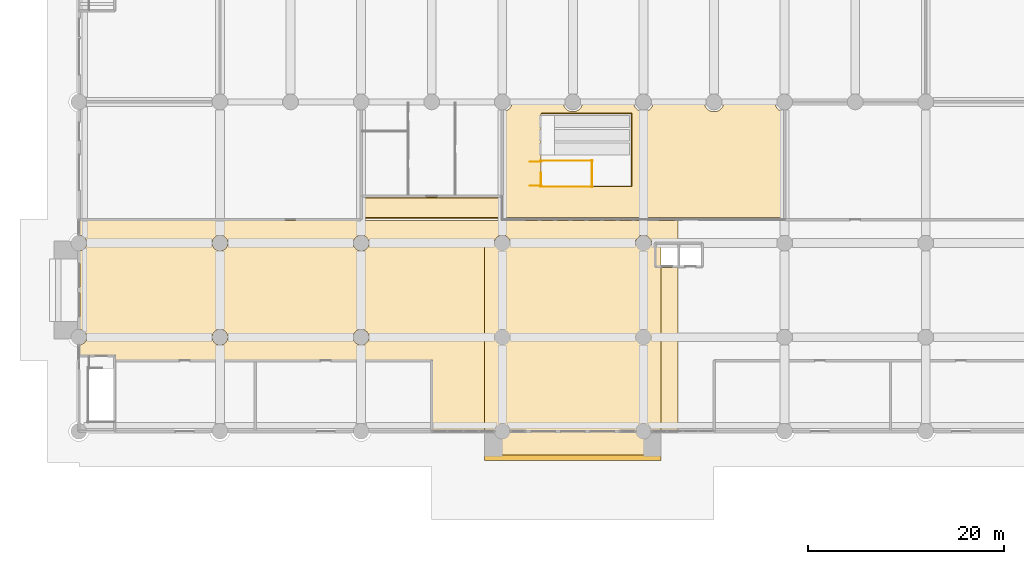
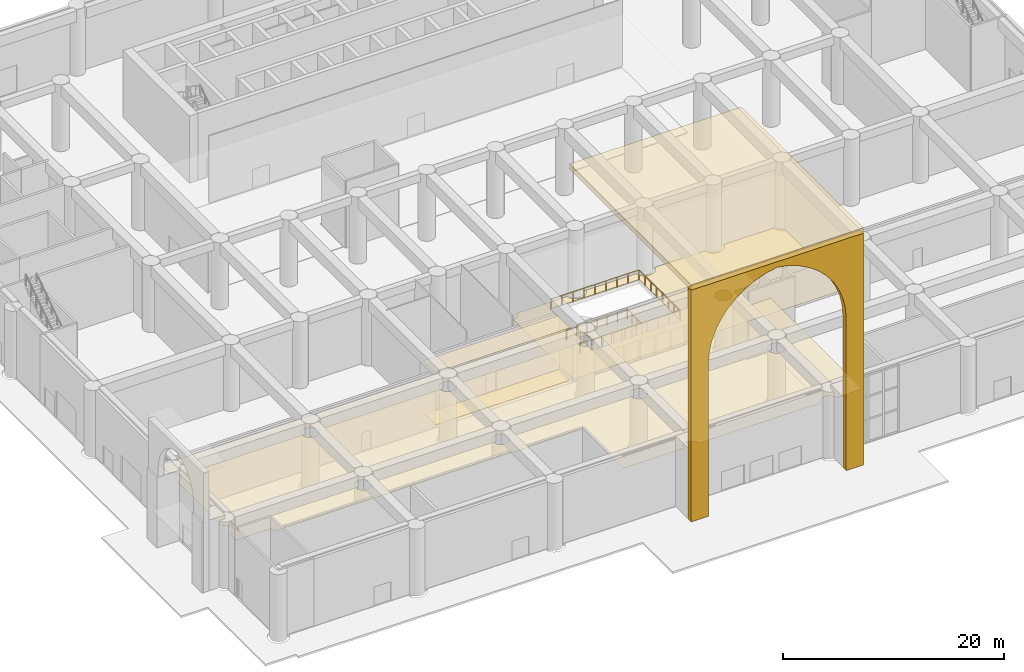
# One storey, part 24 of 32: 7 railings, 6 coverings.
"""IFC4 building model written with IfcOpenShell, lengths in metres."""

from ifc_helpers import new_model, si_unit, direction, frame, origin, origin_2d, place, context, subcontext, project, spatial, polyline, circle, outline, extrude, material, layer, layer_set, type_object, element, save


model = new_model("IFC4")

# Units and contexts
model_context = context("Model", 3, precision=1e-05, world=origin(), true_north=direction((0.0, 1.0)))
body_context = subcontext(model_context, "Body", "Model", "MODEL_VIEW")
ifc_project = project(units=[si_unit("LENGTHUNIT", "METRE"), si_unit("AREAUNIT", "SQUARE_METRE"), si_unit("VOLUMEUNIT", "CUBIC_METRE"), si_unit("PLANEANGLEUNIT", "RADIAN"), si_unit("MASSUNIT", "GRAM", prefix="KILO")], contexts=[model_context])

# Site, building, storey
site_placement = place(None, origin())
site = spatial("IfcSite", under=ifc_project, at=site_placement, CompositionType="ELEMENT")
building_placement = place(site_placement, origin())
building = spatial("IfcBuilding", under=site, at=building_placement, Name="Saffron Iwan Residences", CompositionType="ELEMENT")
storey_placement = place(building_placement, origin())
storey = spatial("IfcBuildingStorey", under=building, at=storey_placement, Name="L00", CompositionType="ELEMENT", Elevation=0.0)

# Coverings
ifc_material_1 = material(Name="Granite flooring", Category="masonry")
ifc_layer_1 = layer(ifc_material_1, 0.030029296875)
ifc_layer_set_1 = layer_set([ifc_layer_1], Name="Granite flooring")
covering_type_1 = type_object("IfcCoveringType", Name="Granite flooring 30", PredefinedType="FLOORING", material=ifc_layer_set_1)
covering_1_placement = place(storey_placement, origin())
element("IfcCovering", 1, at=covering_1_placement, inside=storey, type_object=covering_type_1, Name="Ticket hall flooring", PredefinedType="FLOORING", context=body_context, shape_type="SweptSolid", body=[
    extrude(outline(polyline([(29.0, 21.800048828125), (29.0, 23.800048828125), (43.0, 23.800048828125), (43.0, 21.800048828125), (29.0, 21.800048828125)])), origin(), (0.0, 0.0, 1.0), 0.030029296875),
])
covering_2_placement = place(storey_placement, origin())
element("IfcCovering", 2, at=covering_2_placement, inside=storey, type_object=covering_type_1, Name="Gate line hall flooring", PredefinedType="FLOORING", context=body_context, shape_type="SweptSolid", body=[
    extrude(outline(polyline([(43.39990234375, 32.6201171875), (43.489990234375, 32.64306640625), (43.5830078125, 32.676025390625), (43.6708984375, 32.718017578125), (43.756103515625, 32.76904296875), (43.833984375, 32.826904296875), (43.906982421875, 32.89306640625), (43.972900390625, 32.966064453125), (44.031005859375, 33.0439453125), (44.08203125, 33.12890625), (44.1240234375, 33.217041015625), (44.156982421875, 33.31005859375), (44.179931640625, 33.39990234375), (49.419921875, 33.39990234375), (49.443115234375, 33.31005859375), (49.47607421875, 33.217041015625), (49.51806640625, 33.12890625), (49.569091796875, 33.0439453125), (49.626953125, 32.966064453125), (49.693115234375, 32.89306640625), (49.76611328125, 32.826904296875), (49.843994140625, 32.76904296875), (49.928955078125, 32.718017578125), (50.01708984375, 32.676025390625), (50.110107421875, 32.64306640625), (50.205078125, 32.618896484375), (50.302001953125, 32.60498046875), (50.39990234375, 32.60009765625), (50.498046875, 32.60498046875), (50.594970703125, 32.618896484375), (50.68994140625, 32.64306640625), (50.782958984375, 32.676025390625), (50.87109375, 32.718017578125), (50.9560546875, 32.76904296875), (51.033935546875, 32.826904296875), (51.10693359375, 32.89306640625), (51.173095703125, 32.966064453125), (51.23095703125, 33.0439453125), (51.281982421875, 33.12890625), (51.323974609375, 33.217041015625), (51.35693359375, 33.31005859375), (51.3798828125, 33.39990234375), (56.6201171875, 33.39990234375), (56.64306640625, 33.31005859375), (56.676025390625, 33.217041015625), (56.718017578125, 33.12890625), (56.76904296875, 33.0439453125), (56.826904296875, 32.966064453125), (56.89306640625, 32.89306640625), (56.966064453125, 32.826904296875), (57.0439453125, 32.76904296875), (57.12890625, 32.718017578125), (57.217041015625, 32.676025390625), (57.31005859375, 32.64306640625), (57.405029296875, 32.618896484375), (57.501953125, 32.60498046875), (57.60009765625, 32.60009765625), (57.697998046875, 32.60498046875), (57.794921875, 32.618896484375), (57.889892578125, 32.64306640625), (57.98291015625, 32.676025390625), (58.071044921875, 32.718017578125), (58.156005859375, 32.76904296875), (58.23388671875, 32.826904296875), (58.306884765625, 32.89306640625), (58.373046875, 32.966064453125), (58.430908203125, 33.0439453125), (58.48193359375, 33.12890625), (58.52392578125, 33.217041015625), (58.556884765625, 33.31005859375), (58.580078125, 33.39990234375), (63.820068359375, 33.39990234375), (63.843017578125, 33.31005859375), (63.8759765625, 33.217041015625), (63.91796875, 33.12890625), (63.968994140625, 33.0439453125), (64.027099609375, 32.966064453125), (64.093017578125, 32.89306640625), (64.166015625, 32.826904296875), (64.243896484375, 32.76904296875), (64.3291015625, 32.718017578125), (64.4169921875, 32.676025390625), (64.510009765625, 32.64306640625), (64.60498046875, 32.618896484375), (64.701904296875, 32.60498046875), (64.800048828125, 32.60009765625), (64.89794921875, 32.60498046875), (64.9951171875, 32.618896484375), (65.090087890625, 32.64306640625), (65.18310546875, 32.676025390625), (65.27099609375, 32.718017578125), (65.35595703125, 32.76904296875), (65.43408203125, 32.826904296875), (65.507080078125, 32.89306640625), (65.572998046875, 32.966064453125), (65.631103515625, 33.0439453125), (65.681884765625, 33.12890625), (65.72412109375, 33.217041015625), (65.757080078125, 33.31005859375), (65.780029296875, 33.39990234375), (71.02001953125, 33.39990234375), (71.04296875, 33.31005859375), (71.075927734375, 33.217041015625), (71.117919921875, 33.12890625), (71.1689453125, 33.0439453125), (71.22705078125, 32.966064453125), (71.29296875, 32.89306640625), (71.365966796875, 32.826904296875), (71.444091796875, 32.76904296875), (71.529052734375, 32.718017578125), (71.616943359375, 32.676025390625), (71.7099609375, 32.64306640625), (71.800048828125, 32.6201171875), (71.800048828125, 21.800048828125), (43.39990234375, 21.800048828125), (43.39990234375, 32.6201171875)]), holes=[polyline([(47.199951171875, 32.449951171875), (47.195068359375, 32.449951171875), (47.19091796875, 32.448974609375), (47.18603515625, 32.447998046875), (47.180908203125, 32.446044921875), (47.177001953125, 32.444091796875), (47.173095703125, 32.44189453125), (47.1689453125, 32.43896484375), (47.1650390625, 32.43505859375), (47.162109375, 32.431884765625), (47.158935546875, 32.427978515625), (47.156005859375, 32.424072265625), (47.154052734375, 32.4189453125), (47.153076171875, 32.4150390625), (47.15087890625, 32.409912109375), (47.15087890625, 32.405029296875), (47.14990234375, 32.39990234375), (47.14990234375, 25.0), (47.15087890625, 24.9951171875), (47.15087890625, 24.989990234375), (47.153076171875, 24.985107421875), (47.154052734375, 24.98095703125), (47.156005859375, 24.97607421875), (47.158935546875, 24.971923828125), (47.162109375, 24.968017578125), (47.1650390625, 24.965087890625), (47.1689453125, 24.9609375), (47.173095703125, 24.9580078125), (47.177001953125, 24.9560546875), (47.180908203125, 24.9541015625), (47.18603515625, 24.951904296875), (47.19091796875, 24.950927734375), (47.195068359375, 24.949951171875), (47.199951171875, 24.949951171875), (56.39990234375, 24.949951171875), (56.405029296875, 24.949951171875), (56.409912109375, 24.950927734375), (56.4150390625, 24.951904296875), (56.4189453125, 24.9541015625), (56.424072265625, 24.9560546875), (56.427978515625, 24.9580078125), (56.431884765625, 24.9609375), (56.43505859375, 24.965087890625), (56.43896484375, 24.968017578125), (56.44189453125, 24.971923828125), (56.444091796875, 24.97607421875), (56.446044921875, 24.98095703125), (56.447998046875, 24.985107421875), (56.448974609375, 24.989990234375), (56.449951171875, 24.9951171875), (56.449951171875, 25.0), (56.449951171875, 32.39990234375), (56.449951171875, 32.405029296875), (56.448974609375, 32.409912109375), (56.447998046875, 32.4150390625), (56.446044921875, 32.4189453125), (56.444091796875, 32.424072265625), (56.44189453125, 32.427978515625), (56.43896484375, 32.431884765625), (56.43505859375, 32.43505859375), (56.431884765625, 32.43896484375), (56.427978515625, 32.44189453125), (56.424072265625, 32.444091796875), (56.4189453125, 32.446044921875), (56.4150390625, 32.447998046875), (56.409912109375, 32.448974609375), (56.405029296875, 32.449951171875), (56.39990234375, 32.449951171875), (47.199951171875, 32.449951171875)])]), origin(), (0.0, 0.0, 1.0), 0.030029296875),
])

# Railings
ifc_material_2 = material(Name="Steel S355", Category="steel")
railing_type_1 = type_object("IfcRailingType", Name="Podium guard 1150", PredefinedType="GUARDRAIL", material=ifc_material_2)
railing_1_placement = place(storey_placement, frame((47.199951171875, 25.0, 0.0)))
element("IfcRailing", 3, at=railing_1_placement, inside=storey, type_object=railing_type_1, Name="L00 guard 1", PredefinedType="GUARDRAIL", context=body_context, shape_type="SweptSolid", body=[
    extrude(circle(Radius=0.02392578125, at=origin_2d()), frame((0.0, 0.0, 1.1259765625), z_axis=(1.0, 0.0, 0.0), x_axis=(0.0, 1.0, 0.0)), (0.0, 0.0, 1.0), 9.199951171875),
    extrude(circle(Radius=0.02392578125, at=origin_2d()), frame((9.199951171875, 0.0, 1.1259765625), z_axis=(0.0, 1.0, 0.0), x_axis=(-1.0, 0.0, 0.0)), (0.0, 0.0, 1.0), 7.39990234375),
    extrude(circle(Radius=0.02392578125, at=origin_2d()), frame((9.199951171875, 7.39990234375, 1.1259765625), z_axis=(-1.0, 0.0, 0.0), x_axis=(0.0, -1.0, 0.0)), (0.0, 0.0, 1.0), 9.199951171875),
    extrude(circle(Radius=0.02099609375, at=origin_2d()), origin(), (0.0, 0.0, 1.0), 1.101806640625),
    extrude(circle(Radius=0.02099609375, at=origin_2d()), frame((1.14990234375, 0.0, 0.0)), (0.0, 0.0, 1.0), 1.101806640625),
    extrude(circle(Radius=0.02099609375, at=origin_2d()), frame((2.300048828125, 0.0, 0.0)), (0.0, 0.0, 1.0), 1.101806640625),
    extrude(circle(Radius=0.02099609375, at=origin_2d()), frame((3.449951171875, 0.0, 0.0)), (0.0, 0.0, 1.0), 1.101806640625),
    extrude(circle(Radius=0.02099609375, at=origin_2d()), frame((4.60009765625, 0.0, 0.0)), (0.0, 0.0, 1.0), 1.101806640625),
    extrude(circle(Radius=0.02099609375, at=origin_2d()), frame((5.75, 0.0, 0.0)), (0.0, 0.0, 1.0), 1.101806640625),
    extrude(circle(Radius=0.02099609375, at=origin_2d()), frame((6.89990234375, 0.0, 0.0)), (0.0, 0.0, 1.0), 1.101806640625),
    extrude(circle(Radius=0.02099609375, at=origin_2d()), frame((8.050048828125, 0.0, 0.0)), (0.0, 0.0, 1.0), 1.101806640625),
    extrude(circle(Radius=0.02099609375, at=origin_2d()), frame((9.199951171875, 0.0, 0.0)), (0.0, 0.0, 1.0), 1.101806640625),
    extrude(circle(Radius=0.02099609375, at=origin_2d()), frame((9.199951171875, 1.05712890625, 0.0)), (0.0, 0.0, 1.0), 1.101806640625),
    extrude(circle(Radius=0.02099609375, at=origin_2d()), frame((9.199951171875, 2.1142578125, 0.0)), (0.0, 0.0, 1.0), 1.101806640625),
    extrude(circle(Radius=0.02099609375, at=origin_2d()), frame((9.199951171875, 3.17138671875, 0.0)), (0.0, 0.0, 1.0), 1.101806640625),
    extrude(circle(Radius=0.02099609375, at=origin_2d()), frame((9.199951171875, 4.228515625, 0.0)), (0.0, 0.0, 1.0), 1.101806640625),
    extrude(circle(Radius=0.02099609375, at=origin_2d()), frame((9.199951171875, 5.28564453125, 0.0)), (0.0, 0.0, 1.0), 1.101806640625),
    extrude(circle(Radius=0.02099609375, at=origin_2d()), frame((9.199951171875, 6.3427734375, 0.0)), (0.0, 0.0, 1.0), 1.101806640625),
    extrude(circle(Radius=0.02099609375, at=origin_2d()), frame((9.199951171875, 7.39990234375, 0.0)), (0.0, 0.0, 1.0), 1.101806640625),
    extrude(circle(Radius=0.02099609375, at=origin_2d()), frame((8.050048828125, 7.39990234375, 0.0)), (0.0, 0.0, 1.0), 1.101806640625),
    extrude(circle(Radius=0.02099609375, at=origin_2d()), frame((6.89990234375, 7.39990234375, 0.0)), (0.0, 0.0, 1.0), 1.101806640625),
    extrude(circle(Radius=0.02099609375, at=origin_2d()), frame((5.75, 7.39990234375, 0.0)), (0.0, 0.0, 1.0), 1.101806640625),
    extrude(circle(Radius=0.02099609375, at=origin_2d()), frame((4.60009765625, 7.39990234375, 0.0)), (0.0, 0.0, 1.0), 1.101806640625),
    extrude(circle(Radius=0.02099609375, at=origin_2d()), frame((3.449951171875, 7.39990234375, 0.0)), (0.0, 0.0, 1.0), 1.101806640625),
    extrude(circle(Radius=0.02099609375, at=origin_2d()), frame((2.300048828125, 7.39990234375, 0.0)), (0.0, 0.0, 1.0), 1.101806640625),
    extrude(circle(Radius=0.02099609375, at=origin_2d()), frame((1.14990234375, 7.39990234375, 0.0)), (0.0, 0.0, 1.0), 1.101806640625),
    extrude(circle(Radius=0.02099609375, at=origin_2d()), frame((0.0, 7.39990234375, 0.0)), (0.0, 0.0, 1.0), 1.101806640625),
])
railing_type_2 = type_object("IfcRailingType", Name="Podium stair guard 1150", PredefinedType="GUARDRAIL", material=ifc_material_2)
railing_2_placement = place(storey_placement, frame((47.14990234375, 25.0, 0.0)))
element("IfcRailing", 4, at=railing_2_placement, inside=storey, type_object=railing_type_2, Name="L00 SP1 top well guard 1", PredefinedType="GUARDRAIL", context=body_context, shape_type="SweptSolid", body=[
    extrude(circle(Radius=0.02392578125, at=origin_2d()), frame((0.0, 0.0, 1.1259765625), z_axis=(0.0, 1.0, 0.0), x_axis=(-1.0, 0.0, 0.0)), (0.0, 0.0, 1.0), 1.35009765625),
    extrude(circle(Radius=0.02099609375, at=origin_2d()), origin(), (0.0, 0.0, 1.0), 1.101806640625),
    extrude(circle(Radius=0.02099609375, at=origin_2d()), frame((0.0, 0.675048828125, 0.0)), (0.0, 0.0, 1.0), 1.101806640625),
    extrude(circle(Radius=0.02099609375, at=origin_2d()), frame((0.0, 1.35009765625, 0.0)), (0.0, 0.0, 1.0), 1.101806640625),
])
for number, where, name in (
    (5, (47.10009765625, 24.949951171875, 0.0), "L00 SP1 top well guard 2"),
    (6, (47.10009765625, 27.60009765625, 0.0), "L00 SP1 top well guard 3"),
):
    element("IfcRailing", number, at=place(storey_placement, frame(where)), inside=storey, type_object=railing_type_2, Name=name, PredefinedType="GUARDRAIL", context=body_context, shape_type="SweptSolid", body=[
        extrude(circle(Radius=0.02392578125, at=origin_2d()), frame((0.0, 0.0, 1.1259765625), z_axis=(1.0, 0.0, 0.0), x_axis=(0.0, 1.0, 0.0)), (0.0, 0.0, 1.0), 5.31982421875),
        extrude(circle(Radius=0.02099609375, at=origin_2d()), origin(), (0.0, 0.0, 1.0), 1.101806640625),
        extrude(circle(Radius=0.02099609375, at=origin_2d()), frame((1.06396484375, 0.0, 0.0)), (0.0, 0.0, 1.0), 1.101806640625),
        extrude(circle(Radius=0.02099609375, at=origin_2d()), frame((2.1279296875, 0.0, 0.0)), (0.0, 0.0, 1.0), 1.101806640625),
        extrude(circle(Radius=0.02099609375, at=origin_2d()), frame((3.19189453125, 0.0, 0.0)), (0.0, 0.0, 1.0), 1.101806640625),
        extrude(circle(Radius=0.02099609375, at=origin_2d()), frame((4.255859375, 0.0, 0.0)), (0.0, 0.0, 1.0), 1.101806640625),
        extrude(circle(Radius=0.02099609375, at=origin_2d()), frame((5.31982421875, 0.0, 0.0)), (0.0, 0.0, 1.0), 1.101806640625),
    ])
railing_3_placement = place(storey_placement, frame((52.3701171875, 24.89990234375, 0.0)))
element("IfcRailing", 7, at=railing_3_placement, inside=storey, type_object=railing_type_2, Name="L00 SP1 top well guard 4", PredefinedType="GUARDRAIL", context=body_context, shape_type="SweptSolid", body=[
    extrude(circle(Radius=0.02392578125, at=origin_2d()), frame((0.0, 0.0, 1.1259765625), z_axis=(0.0, 1.0, 0.0), x_axis=(-1.0, 0.0, 0.0)), (0.0, 0.0, 1.0), 2.75),
    extrude(circle(Radius=0.02099609375, at=origin_2d()), origin(), (0.0, 0.0, 1.0), 1.101806640625),
    extrude(circle(Radius=0.02099609375, at=origin_2d()), frame((0.0, 0.916748046875, 0.0)), (0.0, 0.0, 1.0), 1.101806640625),
    extrude(circle(Radius=0.02099609375, at=origin_2d()), frame((0.0, 1.833251953125, 0.0)), (0.0, 0.0, 1.0), 1.101806640625),
    extrude(circle(Radius=0.02099609375, at=origin_2d()), frame((0.0, 2.75, 0.0)), (0.0, 0.0, 1.0), 1.101806640625),
])
for number, where, name in (
    (8, (46.0, 25.050048828125, 0.0), "L00 SP1 top well guard 5"),
    (9, (46.0, 27.5, 0.0), "L00 SP1 top well guard 6"),
):
    element("IfcRailing", number, at=place(storey_placement, frame(where)), inside=storey, type_object=railing_type_2, Name=name, PredefinedType="GUARDRAIL", context=body_context, shape_type="SweptSolid", body=[
        extrude(circle(Radius=0.02392578125, at=origin_2d()), frame((0.0, 0.0, 1.1259765625), z_axis=(1.0, 0.0, 0.0), x_axis=(0.0, 1.0, 0.0)), (0.0, 0.0, 1.0), 1.199951171875),
        extrude(circle(Radius=0.02099609375, at=origin_2d()), origin(), (0.0, 0.0, 1.0), 1.101806640625),
        extrude(circle(Radius=0.02099609375, at=origin_2d()), frame((1.199951171875, 0.0, 0.0)), (0.0, 0.0, 1.0), 1.101806640625),
    ])

# Coverings
ifc_material_3 = material(Name="Terracotta coloured precast concrete C40/50", Category="masonry")
ifc_layer_2 = layer(ifc_material_3, 0.60009765625)
ifc_layer_set_2 = layer_set([ifc_layer_2], Name="Terracotta coloured precast concrete C40/50")
covering_type_2 = type_object("IfcCoveringType", Name="Portal arch, precast concrete", PredefinedType="CLADDING", material=ifc_layer_set_2)
covering_3_placement = place(storey_placement, frame((41.39990234375, -2.39990234375, 0.0), z_axis=(0.0, 1.0, 0.0), x_axis=(0.0, 0.0, 1.0)))
element("IfcCovering", 10, at=covering_3_placement, inside=storey, type_object=covering_type_2, Name="PORTAL ARCH", PredefinedType="CLADDING", context=body_context, shape_type="SweptSolid", body=[
    extrude(outline(polyline([(0.0, 0.0), (25.60009765625, 0.0), (25.60009765625, 18.0), (0.0, 18.0), (0.0, 16.2001953125), (16.800048828125, 16.2001953125), (17.988037109375, 16.114013671875), (19.15087890625, 15.859130859375), (20.264892578125, 15.439208984375), (21.306884765625, 14.864013671875), (22.256103515625, 14.14501953125), (23.092041015625, 13.297119140625), (23.797119140625, 12.337158203125), (24.35791015625, 11.287109375), (24.760986328125, 10.1669921875), (25.0, 9.0), (24.760986328125, 7.8330078125), (24.35791015625, 6.713134765625), (23.797119140625, 5.6630859375), (23.092041015625, 4.703125), (22.256103515625, 3.85498046875), (21.306884765625, 3.135986328125), (20.264892578125, 2.56103515625), (19.15087890625, 2.14111328125), (17.988037109375, 1.885986328125), (16.800048828125, 1.800048828125), (0.0, 1.800048828125), (0.0, 0.0)])), origin(), (0.0, 0.0, -1.0), 0.60009765625),
])
ifc_layer_3 = layer(ifc_material_3, 0.60009765625)
ifc_layer_set_3 = layer_set([ifc_layer_3], Name="Terracotta coloured precast concrete C40/50")
covering_type_3 = type_object("IfcCoveringType", Name="Portal porch roof, precast concrete", PredefinedType="CLADDING", material=ifc_layer_set_3)
covering_4_placement = place(storey_placement, frame((0.0, 0.0, 25.60009765625)))
element("IfcCovering", 11, at=covering_4_placement, inside=storey, type_object=covering_type_3, Name="PORTAL PORCH ROOF", PredefinedType="CLADDING", context=body_context, shape_type="SweptSolid", body=[
    extrude(outline(polyline([(41.39990234375, -3.0), (59.39990234375, -3.0), (59.39990234375, 19.050048828125), (41.39990234375, 19.050048828125), (41.39990234375, -3.0)])), origin(), (0.0, 0.0, 1.0), 0.599853515625),
])
ifc_material_4 = material(Name="Perforated metal ceiling")
ifc_layer_4 = layer(ifc_material_4, 0.030029296875)
ifc_layer_set_4 = layer_set([ifc_layer_4], Name="Perforated metal ceiling")
covering_type_4 = type_object("IfcCoveringType", Name="Suspended ceiling, perforated metal", PredefinedType="CEILING", material=ifc_layer_set_4)
covering_5_placement = place(storey_placement, frame((0.0, 0.0, 5.8701171875)))
element("IfcCovering", 12, at=covering_5_placement, inside=storey, type_object=covering_type_4, Name="Concourse ceiling", PredefinedType="CEILING", context=body_context, shape_type="SweptSolid", body=[
    extrude(outline(polyline([(0.10009765625, 7.800048828125), (0.10009765625, 8.81005859375), (0.156005859375, 8.81494140625), (0.305908203125, 8.861083984375), (0.444091796875, 8.93505859375), (0.56591796875, 9.033935546875), (0.6650390625, 9.156005859375), (0.739013671875, 9.2939453125), (0.784912109375, 9.444091796875), (0.800048828125, 9.60009765625), (0.784912109375, 9.756103515625), (0.739013671875, 9.906005859375), (0.6650390625, 10.0439453125), (0.56591796875, 10.166015625), (0.444091796875, 10.264892578125), (0.305908203125, 10.339111328125), (0.156005859375, 10.385009765625), (0.10009765625, 10.389892578125), (0.10009765625, 18.409912109375), (0.156005859375, 18.4150390625), (0.305908203125, 18.4609375), (0.444091796875, 18.534912109375), (0.56591796875, 18.634033203125), (0.6650390625, 18.756103515625), (0.739013671875, 18.89404296875), (0.784912109375, 19.0439453125), (0.800048828125, 19.199951171875), (0.784912109375, 19.35595703125), (0.739013671875, 19.506103515625), (0.6650390625, 19.64404296875), (0.56591796875, 19.76611328125), (0.444091796875, 19.864990234375), (0.305908203125, 19.93896484375), (0.156005859375, 19.985107421875), (0.10009765625, 19.989990234375), (0.10009765625, 21.5), (61.10009765625, 21.5), (61.10009765625, 19.300048828125), (58.699951171875, 19.300048828125), (58.699951171875, 16.699951171875), (61.10009765625, 16.699951171875), (61.10009765625, 0.10009765625), (58.389892578125, 0.10009765625), (58.385009765625, 0.156005859375), (58.339111328125, 0.305908203125), (58.264892578125, 0.444091796875), (58.166015625, 0.56591796875), (58.0439453125, 0.6650390625), (57.906005859375, 0.739013671875), (57.756103515625, 0.784912109375), (57.60009765625, 0.800048828125), (57.444091796875, 0.784912109375), (57.2939453125, 0.739013671875), (57.156005859375, 0.6650390625), (57.033935546875, 0.56591796875), (56.93505859375, 0.444091796875), (56.861083984375, 0.305908203125), (56.81494140625, 0.156005859375), (56.81005859375, 0.10009765625), (43.989990234375, 0.10009765625), (43.985107421875, 0.156005859375), (43.93896484375, 0.305908203125), (43.864990234375, 0.444091796875), (43.76611328125, 0.56591796875), (43.64404296875, 0.6650390625), (43.506103515625, 0.739013671875), (43.35595703125, 0.784912109375), (43.199951171875, 0.800048828125), (43.0439453125, 0.784912109375), (42.89404296875, 0.739013671875), (42.756103515625, 0.6650390625), (42.634033203125, 0.56591796875), (42.534912109375, 0.444091796875), (42.4609375, 0.305908203125), (42.4150390625, 0.156005859375), (42.409912109375, 0.10009765625), (36.10009765625, 0.10009765625), (36.10009765625, 7.300048828125), (3.75, 7.300048828125), (3.75, 7.800048828125), (0.10009765625, 7.800048828125)]), holes=[polyline([(29.365966796875, 9.033935546875), (29.465087890625, 9.156005859375), (29.5390625, 9.2939453125), (29.5849609375, 9.444091796875), (29.60009765625, 9.60009765625), (29.5849609375, 9.756103515625), (29.5390625, 9.906005859375), (29.465087890625, 10.0439453125), (29.365966796875, 10.166015625), (29.243896484375, 10.264892578125), (29.10595703125, 10.339111328125), (28.9560546875, 10.385009765625), (28.800048828125, 10.39990234375), (28.64404296875, 10.385009765625), (28.493896484375, 10.339111328125), (28.35595703125, 10.264892578125), (28.23388671875, 10.166015625), (28.135009765625, 10.0439453125), (28.06103515625, 9.906005859375), (28.014892578125, 9.756103515625), (28.0, 9.60009765625), (28.014892578125, 9.444091796875), (28.06103515625, 9.2939453125), (28.135009765625, 9.156005859375), (28.23388671875, 9.033935546875), (28.35595703125, 8.93505859375), (28.493896484375, 8.861083984375), (28.64404296875, 8.81494140625), (28.800048828125, 8.800048828125), (28.9560546875, 8.81494140625), (29.10595703125, 8.861083984375), (29.243896484375, 8.93505859375), (29.365966796875, 9.033935546875)]), polyline([(14.966064453125, 9.033935546875), (15.06494140625, 9.156005859375), (15.138916015625, 9.2939453125), (15.18505859375, 9.444091796875), (15.199951171875, 9.60009765625), (15.18505859375, 9.756103515625), (15.138916015625, 9.906005859375), (15.06494140625, 10.0439453125), (14.966064453125, 10.166015625), (14.843994140625, 10.264892578125), (14.7060546875, 10.339111328125), (14.555908203125, 10.385009765625), (14.39990234375, 10.39990234375), (14.243896484375, 10.385009765625), (14.093994140625, 10.339111328125), (13.9560546875, 10.264892578125), (13.833984375, 10.166015625), (13.735107421875, 10.0439453125), (13.660888671875, 9.906005859375), (13.614990234375, 9.756103515625), (13.60009765625, 9.60009765625), (13.614990234375, 9.444091796875), (13.660888671875, 9.2939453125), (13.735107421875, 9.156005859375), (13.833984375, 9.033935546875), (13.9560546875, 8.93505859375), (14.093994140625, 8.861083984375), (14.243896484375, 8.81494140625), (14.39990234375, 8.800048828125), (14.555908203125, 8.81494140625), (14.7060546875, 8.861083984375), (14.843994140625, 8.93505859375), (14.966064453125, 9.033935546875)]), polyline([(29.365966796875, 18.634033203125), (29.465087890625, 18.756103515625), (29.5390625, 18.89404296875), (29.5849609375, 19.0439453125), (29.60009765625, 19.199951171875), (29.5849609375, 19.35595703125), (29.5390625, 19.506103515625), (29.465087890625, 19.64404296875), (29.365966796875, 19.76611328125), (29.243896484375, 19.864990234375), (29.10595703125, 19.93896484375), (28.9560546875, 19.985107421875), (28.800048828125, 20.0), (28.64404296875, 19.985107421875), (28.493896484375, 19.93896484375), (28.35595703125, 19.864990234375), (28.23388671875, 19.76611328125), (28.135009765625, 19.64404296875), (28.06103515625, 19.506103515625), (28.014892578125, 19.35595703125), (28.0, 19.199951171875), (28.014892578125, 19.0439453125), (28.06103515625, 18.89404296875), (28.135009765625, 18.756103515625), (28.23388671875, 18.634033203125), (28.35595703125, 18.534912109375), (28.493896484375, 18.4609375), (28.64404296875, 18.4150390625), (28.800048828125, 18.39990234375), (28.9560546875, 18.4150390625), (29.10595703125, 18.4609375), (29.243896484375, 18.534912109375), (29.365966796875, 18.634033203125)]), polyline([(14.966064453125, 18.634033203125), (15.06494140625, 18.756103515625), (15.138916015625, 18.89404296875), (15.18505859375, 19.0439453125), (15.199951171875, 19.199951171875), (15.18505859375, 19.35595703125), (15.138916015625, 19.506103515625), (15.06494140625, 19.64404296875), (14.966064453125, 19.76611328125), (14.843994140625, 19.864990234375), (14.7060546875, 19.93896484375), (14.555908203125, 19.985107421875), (14.39990234375, 20.0), (14.243896484375, 19.985107421875), (14.093994140625, 19.93896484375), (13.9560546875, 19.864990234375), (13.833984375, 19.76611328125), (13.735107421875, 19.64404296875), (13.660888671875, 19.506103515625), (13.614990234375, 19.35595703125), (13.60009765625, 19.199951171875), (13.614990234375, 19.0439453125), (13.660888671875, 18.89404296875), (13.735107421875, 18.756103515625), (13.833984375, 18.634033203125), (13.9560546875, 18.534912109375), (14.093994140625, 18.4609375), (14.243896484375, 18.4150390625), (14.39990234375, 18.39990234375), (14.555908203125, 18.4150390625), (14.7060546875, 18.4609375), (14.843994140625, 18.534912109375), (14.966064453125, 18.634033203125)]), polyline([(43.76611328125, 9.033935546875), (43.864990234375, 9.156005859375), (43.93896484375, 9.2939453125), (43.985107421875, 9.444091796875), (44.0, 9.60009765625), (43.985107421875, 9.756103515625), (43.93896484375, 9.906005859375), (43.864990234375, 10.0439453125), (43.76611328125, 10.166015625), (43.64404296875, 10.264892578125), (43.506103515625, 10.339111328125), (43.35595703125, 10.385009765625), (43.199951171875, 10.39990234375), (43.0439453125, 10.385009765625), (42.89404296875, 10.339111328125), (42.756103515625, 10.264892578125), (42.634033203125, 10.166015625), (42.534912109375, 10.0439453125), (42.4609375, 9.906005859375), (42.4150390625, 9.756103515625), (42.39990234375, 9.60009765625), (42.4150390625, 9.444091796875), (42.4609375, 9.2939453125), (42.534912109375, 9.156005859375), (42.634033203125, 9.033935546875), (42.756103515625, 8.93505859375), (42.89404296875, 8.861083984375), (43.0439453125, 8.81494140625), (43.199951171875, 8.800048828125), (43.35595703125, 8.81494140625), (43.506103515625, 8.861083984375), (43.64404296875, 8.93505859375), (43.76611328125, 9.033935546875)]), polyline([(58.166015625, 9.033935546875), (58.264892578125, 9.156005859375), (58.339111328125, 9.2939453125), (58.385009765625, 9.444091796875), (58.39990234375, 9.60009765625), (58.385009765625, 9.756103515625), (58.339111328125, 9.906005859375), (58.264892578125, 10.0439453125), (58.166015625, 10.166015625), (58.0439453125, 10.264892578125), (57.906005859375, 10.339111328125), (57.756103515625, 10.385009765625), (57.60009765625, 10.39990234375), (57.444091796875, 10.385009765625), (57.2939453125, 10.339111328125), (57.156005859375, 10.264892578125), (57.033935546875, 10.166015625), (56.93505859375, 10.0439453125), (56.861083984375, 9.906005859375), (56.81494140625, 9.756103515625), (56.800048828125, 9.60009765625), (56.81494140625, 9.444091796875), (56.861083984375, 9.2939453125), (56.93505859375, 9.156005859375), (57.033935546875, 9.033935546875), (57.156005859375, 8.93505859375), (57.2939453125, 8.861083984375), (57.444091796875, 8.81494140625), (57.60009765625, 8.800048828125), (57.756103515625, 8.81494140625), (57.906005859375, 8.861083984375), (58.0439453125, 8.93505859375), (58.166015625, 9.033935546875)]), polyline([(43.76611328125, 18.634033203125), (43.864990234375, 18.756103515625), (43.93896484375, 18.89404296875), (43.985107421875, 19.0439453125), (44.0, 19.199951171875), (43.985107421875, 19.35595703125), (43.93896484375, 19.506103515625), (43.864990234375, 19.64404296875), (43.76611328125, 19.76611328125), (43.64404296875, 19.864990234375), (43.506103515625, 19.93896484375), (43.35595703125, 19.985107421875), (43.199951171875, 20.0), (43.0439453125, 19.985107421875), (42.89404296875, 19.93896484375), (42.756103515625, 19.864990234375), (42.634033203125, 19.76611328125), (42.534912109375, 19.64404296875), (42.4609375, 19.506103515625), (42.4150390625, 19.35595703125), (42.39990234375, 19.199951171875), (42.4150390625, 19.0439453125), (42.4609375, 18.89404296875), (42.534912109375, 18.756103515625), (42.634033203125, 18.634033203125), (42.756103515625, 18.534912109375), (42.89404296875, 18.4609375), (43.0439453125, 18.4150390625), (43.199951171875, 18.39990234375), (43.35595703125, 18.4150390625), (43.506103515625, 18.4609375), (43.64404296875, 18.534912109375), (43.76611328125, 18.634033203125)]), polyline([(58.166015625, 18.634033203125), (58.264892578125, 18.756103515625), (58.339111328125, 18.89404296875), (58.385009765625, 19.0439453125), (58.39990234375, 19.199951171875), (58.385009765625, 19.35595703125), (58.339111328125, 19.506103515625), (58.264892578125, 19.64404296875), (58.166015625, 19.76611328125), (58.0439453125, 19.864990234375), (57.906005859375, 19.93896484375), (57.756103515625, 19.985107421875), (57.60009765625, 20.0), (57.444091796875, 19.985107421875), (57.2939453125, 19.93896484375), (57.156005859375, 19.864990234375), (57.033935546875, 19.76611328125), (56.93505859375, 19.64404296875), (56.861083984375, 19.506103515625), (56.81494140625, 19.35595703125), (56.800048828125, 19.199951171875), (56.81494140625, 19.0439453125), (56.861083984375, 18.89404296875), (56.93505859375, 18.756103515625), (57.033935546875, 18.634033203125), (57.156005859375, 18.534912109375), (57.2939453125, 18.4609375), (57.444091796875, 18.4150390625), (57.60009765625, 18.39990234375), (57.756103515625, 18.4150390625), (57.906005859375, 18.4609375), (58.0439453125, 18.534912109375), (58.166015625, 18.634033203125)])]), origin(), (0.0, 0.0, 1.0), 0.02978515625),
])
ifc_material_5 = material(Name="Plasterboard ceiling")
ifc_layer_5 = layer(ifc_material_5, 0.014892578125)
ifc_layer_set_5 = layer_set([ifc_layer_5], Name="Plasterboard ceiling")
covering_type_5 = type_object("IfcCoveringType", Name="Suspended ceiling, plasterboard 15", PredefinedType="CEILING", material=ifc_layer_set_5)
covering_6_placement = place(storey_placement, frame((0.0, 0.0, 5.885009765625)))
element("IfcCovering", 13, at=covering_6_placement, inside=storey, type_object=covering_type_5, Name="Ticket hall ceiling", PredefinedType="CEILING", context=body_context, shape_type="SweptSolid", body=[
    extrude(outline(polyline([(28.89990234375, 21.699951171875), (28.89990234375, 23.89990234375), (43.10009765625, 23.89990234375), (43.10009765625, 21.699951171875), (28.89990234375, 21.699951171875)])), origin(), (0.0, 0.0, 1.0), 0.014892578125),
])

save(model, "model.ifc")
